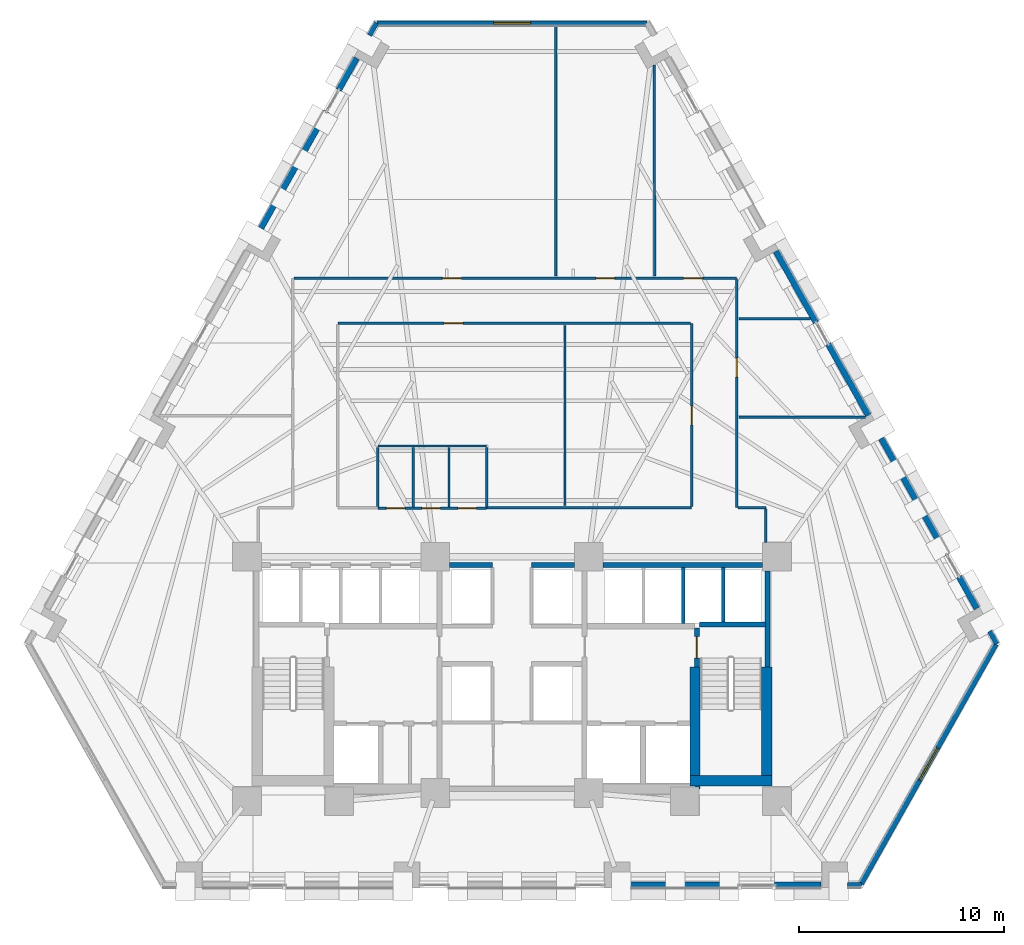
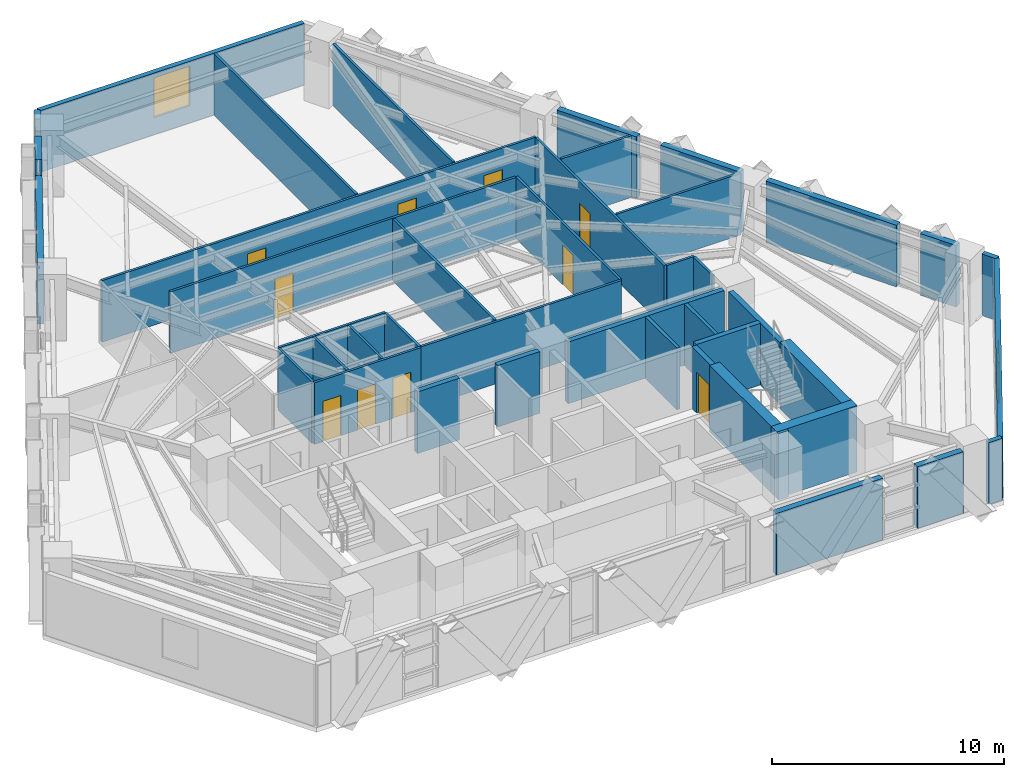
# One storey, part 8 of 13: 42 walls, 10 doors, 2 windows, 12 openings.
"""IFC4 building model written with IfcOpenShell, lengths in metres."""

from ifc_helpers import new_model, si_unit, direction, frame, frame_2d, origin, place, context, subcontext, project, spatial, rectangle, extrude, material, layer, layer_set, type_object, element, fill, save


model = new_model("IFC4")

# Units and contexts
model_context = context("Model", 3, precision=1e-05, world=origin(), true_north=direction((0.0, 1.0)))
body_context = subcontext(model_context, "Body", "Model", "MODEL_VIEW")
ifc_project = project(units=[si_unit("LENGTHUNIT", "METRE"), si_unit("AREAUNIT", "SQUARE_METRE"), si_unit("VOLUMEUNIT", "CUBIC_METRE"), si_unit("PLANEANGLEUNIT", "RADIAN"), si_unit("MASSUNIT", "GRAM", prefix="KILO")], contexts=[model_context])

# Site, building, storey
site_placement = place(None, origin())
site = spatial("IfcSite", under=ifc_project, at=site_placement, CompositionType="ELEMENT")
building_placement = place(site_placement, origin())
building = spatial("IfcBuilding", under=site, at=building_placement, Name="Quenlor Broadcast Tower", CompositionType="ELEMENT")
storey_placement = place(building_placement, frame((0.0, 0.0, 59.10009765625)))
storey = spatial("IfcBuildingStorey", under=building, at=storey_placement, Name="L15", CompositionType="ELEMENT", Elevation=59.10009765625)

# Walls
ifc_material_1 = material(Name="Concrete C65/80", Category="concrete")
ifc_layer_1 = layer(ifc_material_1, 0.5)
ifc_layer_set_1 = layer_set([ifc_layer_1], Name="Core Concrete C65/80 Shear Wall 500")
wall_type_1 = type_object("IfcWallType", Name="Core Concrete C65/80 Shear Wall 500", PredefinedType="SHEAR", material=ifc_layer_set_1)
wall_1_placement = place(storey_placement, frame((8.699951171875, -15.75, 0.0), z_axis=(0.0, 0.0, 1.0), x_axis=(1.0, 0.0, 0.0)))
element("IfcWall", 1, at=wall_1_placement, inside=storey, type_object=wall_type_1, Name="L15 Core Shear Wall WS-E2", PredefinedType="SHEAR", context=body_context, shape_type="SweptSolid", body=[
    extrude(rectangle(XDim=4.0, YDim=0.5, at=frame_2d((2.0, 0.0))), origin(), (0.0, 0.0, 1.0), 3.5),
])
wall_2_placement = place(storey_placement, frame((12.449951171875, -15.75, 0.0), z_axis=(0.0, 0.0, 1.0), x_axis=(0.0, 1.0, 0.0)))
element("IfcWall", 2, at=wall_2_placement, inside=storey, type_object=wall_type_1, Name="L15 Core Shear Wall WF-E", PredefinedType="SHEAR", context=body_context, shape_type="SweptSolid", body=[
    extrude(rectangle(XDim=5.550048828125, YDim=0.5, at=frame_2d((2.77490234375, 0.0))), origin(), (0.0, 0.0, 1.0), 3.5),
])
wall_3_placement = place(storey_placement, frame((8.949951171875, -16.14990234375, 0.0), z_axis=(0.0, 0.0, 1.0), x_axis=(0.0, 1.0, 0.0)))
element("IfcWall", 3, at=wall_3_placement, inside=storey, type_object=wall_type_1, Name="L15 Core Shear Wall WI-E", PredefinedType="SHEAR", context=body_context, shape_type="SweptSolid", body=[
    extrude(rectangle(XDim=5.949951171875, YDim=0.5, at=frame_2d((2.97509765625, 0.0))), origin(), (0.0, 0.0, 1.0), 3.5),
])

# Wall, opening, door
ifc_material_2 = material(Name="Concrete C40/50", Category="concrete")
ifc_layer_2 = layer(ifc_material_2, 0.25)
ifc_layer_set_2 = layer_set([ifc_layer_2], Name="Fire Rated Concrete C40/50 Core Wall 250")
wall_type_2 = type_object("IfcWallType", Name="Fire Rated Concrete C40/50 Core Wall 250", PredefinedType="PARTITIONING", material=ifc_layer_set_2)
wall_4_placement = place(storey_placement, frame((9.0400390625, -10.179931640625, 0.0), z_axis=(0.0, 0.0, 1.0), x_axis=(0.0, 1.0, 0.0)))
wall_4 = element("IfcWall", 4, at=wall_4_placement, inside=storey, type_object=wall_type_2, Name="L15 Interior Wall CW-ST2-DR", PredefinedType="PARTITIONING", context=body_context, shape_type="SweptSolid", body=[
    extrude(rectangle(XDim=1.89990234375, YDim=0.25, at=frame_2d((0.949951171875, 0.0))), origin(), (0.0, 0.0, 1.0), 3.25),
])
opening_1_placement = place(wall_4_placement, frame((0.419921875, 0.0, 0.0)))
opening_1 = element("IfcOpeningElement", 5, at=opening_1_placement, cuts=wall_4, Name="Opening FD-1", PredefinedType="OPENING", context=body_context, shape_type="SweptSolid", body=[
    extrude(rectangle(XDim=1.050048828125, YDim=2.14990234375, at=frame_2d((0.52490234375, 1.074951171875))), frame((0.0, 0.135009765625, 0.0), z_axis=(0.0, -1.0, 0.0), x_axis=(1.0, 0.0, 0.0)), (0.0, 0.0, 1.0), 0.27001953125),
])
ifc_material_3 = material(Name="Fire Rated Steel Door Leaf", Category="steel")
door_type_1 = type_object("IfcDoorType", Name="Fire Isolated Stair Door 1050x2150", OperationType="NOTDEFINED", PredefinedType="DOOR", material=ifc_material_3)
door_1_placement = place(opening_1_placement, origin())
door_1 = element("IfcDoor", 6, at=door_1_placement, inside=storey, type_object=door_type_1, Name="L15 Door DR-ST2", OperationType="SINGLE_SWING_RIGHT", OverallHeight=2.14990234375, OverallWidth=1.050048828125, PredefinedType="DOOR", context=body_context, shape_type="SweptSolid", body=[
    extrude(rectangle(XDim=1.050048828125, YDim=2.14990234375, at=frame_2d((0.52490234375, 1.074951171875))), frame((0.0, 0.02490234375, 0.0), z_axis=(0.0, -1.0, 0.0), x_axis=(1.0, 0.0, 0.0)), (0.0, 0.0, 1.0), 0.050048828125),
])
fill(opening_1, door_1)

# Walls
wall_5_placement = place(storey_placement, frame((9.159912109375, -8.1201171875, 0.0), z_axis=(0.0, 0.0, 1.0), x_axis=(1.0, 0.0, 0.0)))
element("IfcWall", 7, at=wall_5_placement, inside=storey, type_object=wall_type_2, Name="L15 Interior Wall CW-ST2-N", PredefinedType="PARTITIONING", context=body_context, shape_type="SweptSolid", body=[
    extrude(rectangle(XDim=3.219970703125, YDim=0.25, at=frame_2d((1.60986328125, 0.0))), origin(), (0.0, 0.0, 1.0), 3.25),
])
wall_6_placement = place(storey_placement, frame((12.47998046875, -10.179931640625, 0.0), z_axis=(0.0, 0.0, 1.0), x_axis=(0.0, 1.0, 0.0)))
element("IfcWall", 8, at=wall_6_placement, inside=storey, type_object=wall_type_2, Name="L15 Interior Wall CW-ST2-E2", PredefinedType="PARTITIONING", context=body_context, shape_type="SweptSolid", body=[
    extrude(rectangle(XDim=4.677978515625, YDim=0.25, at=frame_2d((2.3388671875, 0.0))), origin(), (0.0, 0.0, 1.0), 3.25),
])
wall_7_placement = place(storey_placement, frame((4.451904296875, -5.199951171875, 0.0), z_axis=(0.0, 0.0, 1.0), x_axis=(1.0, 0.0, 0.0)))
element("IfcWall", 9, at=wall_7_placement, inside=storey, type_object=wall_type_2, Name="L15 Interior Wall CW-N-E", PredefinedType="PARTITIONING", context=body_context, shape_type="SweptSolid", body=[
    extrude(rectangle(XDim=7.796142578125, YDim=0.25, at=frame_2d((3.89794921875, 0.0))), origin(), (0.0, 0.0, 1.0), 3.25),
])
for number, where, z_axis, x_axis, name in (
    (10, (-3.048095703125, -5.199951171875, 0.0), (0.0, 0.0, 1.0), (1.0, 0.0, 0.0), "L15 Interior Wall CW-N-M1"),
    (11, (0.949951171875, -5.199951171875, 0.0), (0.0, 0.0, 1.0), (1.0, 0.0, 0.0), "L15 Interior Wall CW-N-M2"),
):
    element("IfcWall", number, at=place(storey_placement, frame(where, z_axis=z_axis, x_axis=x_axis)), inside=storey, type_object=wall_type_2, Name=name, PredefinedType="PARTITIONING", context=body_context, shape_type="SweptSolid", body=[
        extrude(rectangle(XDim=2.09814453125, YDim=0.25, at=frame_2d((1.049072265625, 0.0))), origin(), (0.0, 0.0, 1.0), 3.25),
    ])
ifc_material_4 = material(Name="Gypsum Fireboard Partition", Category="other")
ifc_layer_3 = layer(ifc_material_4, 0.159912109375)
ifc_layer_set_3 = layer_set([ifc_layer_3], Name="Fire Rated Shaft and Corridor Partition 160")
wall_type_3 = type_object("IfcWallType", Name="Fire Rated Shaft and Corridor Partition 160", PredefinedType="PARTITIONING", material=ifc_layer_set_3)
wall_8_placement = place(storey_placement, frame((8.375, -8.072998046875, 0.0), z_axis=(0.0, 0.0, 1.0), x_axis=(0.0, 1.0, 0.0)))
element("IfcWall", 12, at=wall_8_placement, inside=storey, type_object=wall_type_3, Name="L15 Interior Wall CW-PLH-D2", PredefinedType="PARTITIONING", context=body_context, shape_type="SweptSolid", body=[
    extrude(rectangle(XDim=2.73291015625, YDim=0.159912109375, at=frame_2d((1.366455078125, 0.0))), origin(), (0.0, 0.0, 1.0), 3.25),
])
wall_9_placement = place(storey_placement, frame((10.324951171875, -7.992919921875, 0.0), z_axis=(0.0, 0.0, 1.0), x_axis=(0.0, 1.0, 0.0)))
element("IfcWall", 13, at=wall_9_placement, inside=storey, type_object=wall_type_3, Name="L15 Interior Wall CW-PLH-D3", PredefinedType="PARTITIONING", context=body_context, shape_type="SweptSolid", body=[
    extrude(rectangle(XDim=2.65283203125, YDim=0.159912109375, at=frame_2d((1.326416015625, 0.0))), origin(), (0.0, 0.0, 1.0), 3.25),
])

# Wall, openings, doors
ifc_material_5 = material(Name="Gypsum Plasterboard Partition", Category="other")
ifc_layer_4 = layer(ifc_material_5, 0.1201171875)
ifc_layer_set_4 = layer_set([ifc_layer_4], Name="Standard Office Partition 120")
wall_type_4 = type_object("IfcWallType", Name="Standard Office Partition 120", PredefinedType="PARTITIONING", material=ifc_layer_set_4)
wall_10_placement = place(storey_placement, frame((-6.56005859375, -2.43994140625, 0.0), z_axis=(0.0, 0.0, 1.0), x_axis=(1.0, 0.0, 0.0)))
wall_10 = element("IfcWall", 14, at=wall_10_placement, inside=storey, type_object=wall_type_4, Name="L15 Interior Wall PW-WC-S", PredefinedType="PARTITIONING", context=body_context, shape_type="SweptSolid", body=[
    extrude(rectangle(XDim=5.320068359375, YDim=0.1201171875, at=frame_2d((2.66015625, 0.0))), origin(), (0.0, 0.0, 1.0), 3.25),
])
opening_2_placement = place(wall_10_placement, frame((0.419921875, 0.0, 0.0)))
opening_2 = element("IfcOpeningElement", 15, at=opening_2_placement, cuts=wall_10, Name="Opening ID-3", PredefinedType="OPENING", context=body_context, shape_type="SweptSolid", body=[
    extrude(rectangle(XDim=0.89990234375, YDim=2.1201171875, at=frame_2d((0.449951171875, 1.06005859375))), frame((0.0, 0.070068359375, 0.0), z_axis=(0.0, -1.0, 0.0), x_axis=(1.0, 0.0, 0.0)), (0.0, 0.0, 1.0), 0.14013671875),
])
opening_3_placement = place(wall_10_placement, frame((2.159912109375, 0.0, 0.0)))
opening_3 = element("IfcOpeningElement", 16, at=opening_3_placement, cuts=wall_10, Name="Opening ID-3", PredefinedType="OPENING", context=body_context, shape_type="SweptSolid", body=[
    extrude(rectangle(XDim=0.89990234375, YDim=2.1201171875, at=frame_2d((0.449951171875, 1.06005859375))), frame((0.0, 0.070068359375, 0.0), z_axis=(0.0, -1.0, 0.0), x_axis=(1.0, 0.0, 0.0)), (0.0, 0.0, 1.0), 0.14013671875),
])
opening_4_placement = place(wall_10_placement, frame((3.919921875, 0.0, 0.0)))
opening_4 = element("IfcOpeningElement", 17, at=opening_4_placement, cuts=wall_10, Name="Opening ID-3", PredefinedType="OPENING", context=body_context, shape_type="SweptSolid", body=[
    extrude(rectangle(XDim=0.89990234375, YDim=2.1201171875, at=frame_2d((0.449951171875, 1.06005859375))), frame((0.0, 0.070068359375, 0.0), z_axis=(0.0, -1.0, 0.0), x_axis=(1.0, 0.0, 0.0)), (0.0, 0.0, 1.0), 0.14013671875),
])
ifc_material_6 = material(Name="Moisture Resistant Timber Oak", Category="wood")
door_type_2 = type_object("IfcDoorType", Name="Washroom Privacy Door 900x2120", OperationType="NOTDEFINED", PredefinedType="DOOR", material=ifc_material_6)
door_2_placement = place(opening_2_placement, origin())
door_2 = element("IfcDoor", 18, at=door_2_placement, inside=storey, type_object=door_type_2, Name="L15 Door DR-FWC", OperationType="SINGLE_SWING_LEFT", OverallHeight=2.1201171875, OverallWidth=0.89990234375, PredefinedType="DOOR", context=body_context, shape_type="SweptSolid", body=[
    extrude(rectangle(XDim=0.89990234375, YDim=2.1201171875, at=frame_2d((0.449951171875, 1.06005859375))), frame((0.0, 0.02490234375, 0.0), z_axis=(0.0, -1.0, 0.0), x_axis=(1.0, 0.0, 0.0)), (0.0, 0.0, 1.0), 0.050048828125),
])
fill(opening_2, door_2)
door_3_placement = place(opening_3_placement, origin())
door_3 = element("IfcDoor", 19, at=door_3_placement, inside=storey, type_object=door_type_2, Name="L15 Door DR-MWC", OperationType="SINGLE_SWING_RIGHT", OverallHeight=2.1201171875, OverallWidth=0.89990234375, PredefinedType="DOOR", context=body_context, shape_type="SweptSolid", body=[
    extrude(rectangle(XDim=0.89990234375, YDim=2.1201171875, at=frame_2d((0.449951171875, 1.06005859375))), frame((0.0, 0.02490234375, 0.0), z_axis=(0.0, -1.0, 0.0), x_axis=(1.0, 0.0, 0.0)), (0.0, 0.0, 1.0), 0.050048828125),
])
fill(opening_3, door_3)
door_4_placement = place(opening_4_placement, origin())
door_4 = element("IfcDoor", 20, at=door_4_placement, inside=storey, type_object=door_type_2, Name="L15 Door DR-AWC", OperationType="SINGLE_SWING_RIGHT", OverallHeight=2.1201171875, OverallWidth=0.89990234375, PredefinedType="DOOR", context=body_context, shape_type="SweptSolid", body=[
    extrude(rectangle(XDim=0.89990234375, YDim=2.1201171875, at=frame_2d((0.449951171875, 1.06005859375))), frame((0.0, 0.02490234375, 0.0), z_axis=(0.0, -1.0, 0.0), x_axis=(1.0, 0.0, 0.0)), (0.0, 0.0, 1.0), 0.050048828125),
])
fill(opening_4, door_4)

# Walls
wall_11_placement = place(storey_placement, frame((-6.56005859375, 0.610107421875, 0.0), z_axis=(0.0, 0.0, 1.0), x_axis=(1.0, 0.0, 0.0)))
element("IfcWall", 21, at=wall_11_placement, inside=storey, type_object=wall_type_4, Name="L15 Interior Wall PW-WC-N", PredefinedType="PARTITIONING", context=body_context, shape_type="SweptSolid", body=[
    extrude(rectangle(XDim=5.320068359375, YDim=0.1201171875, at=frame_2d((2.66015625, 0.0))), origin(), (0.0, 0.0, 1.0), 3.25),
])
for number, where, z_axis, x_axis, name in (
    (22, (-6.56005859375, -2.3779296875, 0.0), (0.0, 0.0, 1.0), (0.0, 1.0, 0.0), "L15 Interior Wall PW-WC-W"),
    (23, (-4.820068359375, -2.3779296875, 0.0), (0.0, 0.0, 1.0), (0.0, 1.0, 0.0), "L15 Interior Wall PW-WC-M1"),
    (24, (-3.080078125, -2.3779296875, 0.0), (0.0, 0.0, 1.0), (0.0, 1.0, 0.0), "L15 Interior Wall PW-WC-M2"),
    (25, (-1.239990234375, -2.3779296875, 0.0), (0.0, 0.0, 1.0), (0.0, 1.0, 0.0), "L15 Interior Wall PW-WC-E"),
):
    element("IfcWall", number, at=place(storey_placement, frame(where, z_axis=z_axis, x_axis=x_axis)), inside=storey, type_object=wall_type_4, Name=name, PredefinedType="PARTITIONING", context=body_context, shape_type="SweptSolid", body=[
        extrude(rectangle(XDim=2.926025390625, YDim=0.1201171875, at=frame_2d((1.462890625, 0.0))), origin(), (0.0, 0.0, 1.0), 3.25),
    ])

# Wall, openings, doors
wall_12_placement = place(storey_placement, frame((-10.653076171875, 8.800048828125, 0.0), z_axis=(0.0, 0.0, 1.0), x_axis=(1.0, 0.0, 0.0)))
wall_12 = element("IfcWall", 26, at=wall_12_placement, inside=storey, type_object=wall_type_4, Name="L15 Interior Wall PW-CR-03", PredefinedType="PARTITIONING", context=body_context, shape_type="SweptSolid", body=[
    extrude(rectangle(XDim=21.63818359375, YDim=0.1201171875, at=frame_2d((10.819091796875, 0.0))), origin(), (0.0, 0.0, 1.0), 3.25),
])
opening_5_placement = place(wall_12_placement, frame((14.7529296875, 0.0, 0.0)))
opening_5 = element("IfcOpeningElement", 27, at=opening_5_placement, cuts=wall_12, Name="Opening ID-1", PredefinedType="OPENING", context=body_context, shape_type="SweptSolid", body=[
    extrude(rectangle(XDim=0.919921875, YDim=2.1201171875, at=frame_2d((0.4599609375, 1.06005859375))), frame((0.0, 0.070068359375, 0.0), z_axis=(0.0, -1.0, 0.0), x_axis=(1.0, 0.0, 0.0)), (0.0, 0.0, 1.0), 0.14013671875),
])
opening_6_placement = place(wall_12_placement, frame((7.2529296875, 0.0, 0.0)))
opening_6 = element("IfcOpeningElement", 28, at=opening_6_placement, cuts=wall_12, Name="Opening ID-1", PredefinedType="OPENING", context=body_context, shape_type="SweptSolid", body=[
    extrude(rectangle(XDim=0.919921875, YDim=2.1201171875, at=frame_2d((0.4599609375, 1.06005859375))), frame((0.0, 0.070068359375, 0.0), z_axis=(0.0, -1.0, 0.0), x_axis=(1.0, 0.0, 0.0)), (0.0, 0.0, 1.0), 0.14013671875),
])
opening_7_placement = place(wall_12_placement, frame((19.0458984375, 0.0, 0.0)))
opening_7 = element("IfcOpeningElement", 29, at=opening_7_placement, cuts=wall_12, Name="Opening ID-1", PredefinedType="OPENING", context=body_context, shape_type="SweptSolid", body=[
    extrude(rectangle(XDim=0.919921875, YDim=2.1201171875, at=frame_2d((0.4599609375, 1.06005859375))), frame((0.0, 0.070068359375, 0.0), z_axis=(0.0, -1.0, 0.0), x_axis=(1.0, 0.0, 0.0)), (0.0, 0.0, 1.0), 0.14013671875),
])
ifc_material_7 = material(Name="Solid Core Timber Oak", Category="wood")
door_type_3 = type_object("IfcDoorType", Name="Single Leaf Timber Office Door 920x2120", OperationType="NOTDEFINED", PredefinedType="DOOR", material=ifc_material_7)
door_5_placement = place(opening_5_placement, origin())
door_5 = element("IfcDoor", 30, at=door_5_placement, inside=storey, type_object=door_type_3, Name="L15 Door DR-RM01", OperationType="SINGLE_SWING_LEFT", OverallHeight=2.1201171875, OverallWidth=0.919921875, PredefinedType="DOOR", context=body_context, shape_type="SweptSolid", body=[
    extrude(rectangle(XDim=0.919921875, YDim=2.1201171875, at=frame_2d((0.4599609375, 1.06005859375))), frame((0.0, 0.02490234375, 0.0), z_axis=(0.0, -1.0, 0.0), x_axis=(1.0, 0.0, 0.0)), (0.0, 0.0, 1.0), 0.050048828125),
])
fill(opening_5, door_5)
door_6_placement = place(opening_6_placement, origin())
door_6 = element("IfcDoor", 31, at=door_6_placement, inside=storey, type_object=door_type_3, Name="L15 Door DR-RM02", OperationType="SINGLE_SWING_RIGHT", OverallHeight=2.1201171875, OverallWidth=0.919921875, PredefinedType="DOOR", context=body_context, shape_type="SweptSolid", body=[
    extrude(rectangle(XDim=0.919921875, YDim=2.1201171875, at=frame_2d((0.4599609375, 1.06005859375))), frame((0.0, 0.02490234375, 0.0), z_axis=(0.0, -1.0, 0.0), x_axis=(1.0, 0.0, 0.0)), (0.0, 0.0, 1.0), 0.050048828125),
])
fill(opening_6, door_6)
door_7_placement = place(opening_7_placement, origin())
door_7 = element("IfcDoor", 32, at=door_7_placement, inside=storey, type_object=door_type_3, Name="L15 Door DR-RM03", OperationType="SINGLE_SWING_LEFT", OverallHeight=2.1201171875, OverallWidth=0.919921875, PredefinedType="DOOR", context=body_context, shape_type="SweptSolid", body=[
    extrude(rectangle(XDim=0.919921875, YDim=2.1201171875, at=frame_2d((0.4599609375, 1.06005859375))), frame((0.0, 0.02490234375, 0.0), z_axis=(0.0, -1.0, 0.0), x_axis=(1.0, 0.0, 0.0)), (0.0, 0.0, 1.0), 0.050048828125),
])
fill(opening_7, door_7)

# Wall, opening, door
wall_13_placement = place(storey_placement, frame((10.985107421875, 8.738037109375, 0.0), z_axis=(0.0, 0.0, 1.0), x_axis=(0.0, -1.0, 0.0)))
wall_13 = element("IfcWall", 33, at=wall_13_placement, inside=storey, type_object=wall_type_4, Name="L15 Interior Wall PW-CR-04", PredefinedType="PARTITIONING", context=body_context, shape_type="SweptSolid", body=[
    extrude(rectangle(XDim=11.137939453125, YDim=0.1201171875, at=frame_2d((5.56884765625, 0.0))), origin(), (0.0, 0.0, 1.0), 3.25),
])
opening_8_placement = place(wall_13_placement, frame((3.837890625, 0.0, 0.0)))
opening_8 = element("IfcOpeningElement", 34, at=opening_8_placement, cuts=wall_13, Name="Opening ID-1", PredefinedType="OPENING", context=body_context, shape_type="SweptSolid", body=[
    extrude(rectangle(XDim=0.919921875, YDim=2.1201171875, at=frame_2d((0.4599609375, 1.06005859375))), frame((0.0, 0.070068359375, 0.0), z_axis=(0.0, -1.0, 0.0), x_axis=(1.0, 0.0, 0.0)), (0.0, 0.0, 1.0), 0.14013671875),
])
door_8_placement = place(opening_8_placement, origin())
door_8 = element("IfcDoor", 35, at=door_8_placement, inside=storey, type_object=door_type_3, Name="L15 Door DR-RM04", OperationType="SINGLE_SWING_RIGHT", OverallHeight=2.1201171875, OverallWidth=0.919921875, PredefinedType="DOOR", context=body_context, shape_type="SweptSolid", body=[
    extrude(rectangle(XDim=0.919921875, YDim=2.1201171875, at=frame_2d((0.4599609375, 1.06005859375))), frame((0.0, 0.02490234375, 0.0), z_axis=(0.0, -1.0, 0.0), x_axis=(1.0, 0.0, 0.0)), (0.0, 0.0, 1.0), 0.050048828125),
])
fill(opening_8, door_8)

# Walls
wall_14_placement = place(storey_placement, frame((11.047119140625, -2.39990234375, 0.0), z_axis=(0.0, 0.0, 1.0), x_axis=(1.0, 0.0, 0.0)))
element("IfcWall", 36, at=wall_14_placement, inside=storey, type_object=wall_type_4, Name="L15 Interior Wall PW-CR-05", PredefinedType="PARTITIONING", context=body_context, shape_type="SweptSolid", body=[
    extrude(rectangle(XDim=1.36279296875, YDim=0.1201171875, at=frame_2d((0.681396484375, 0.0))), origin(), (0.0, 0.0, 1.0), 3.25),
])
wall_15_placement = place(storey_placement, frame((12.409912109375, -2.4619140625, 0.0), z_axis=(0.0, 0.0, 1.0), x_axis=(0.0, -1.0, 0.0)))
element("IfcWall", 37, at=wall_15_placement, inside=storey, type_object=wall_type_4, Name="L15 Interior Wall PW-CR-06", PredefinedType="PARTITIONING", context=body_context, shape_type="SweptSolid", body=[
    extrude(rectangle(XDim=1.635986328125, YDim=0.1201171875, at=frame_2d((0.81787109375, 0.0))), origin(), (0.0, 0.0, 1.0), 3.25),
])
wall_16_placement = place(storey_placement, frame((-1.238037109375, -2.39990234375, 0.0), z_axis=(0.0, 0.0, 1.0), x_axis=(1.0, 0.0, 0.0)))
element("IfcWall", 38, at=wall_16_placement, inside=storey, type_object=wall_type_4, Name="L15 Interior Wall PW-CR-08S2", PredefinedType="PARTITIONING", context=body_context, shape_type="SweptSolid", body=[
    extrude(rectangle(XDim=10.02294921875, YDim=0.1201171875, at=frame_2d((5.011474609375, 0.0))), origin(), (0.0, 0.0, 1.0), 3.25),
])

# Wall, opening, door
wall_17_placement = place(storey_placement, frame((8.784912109375, -2.337890625, 0.0), z_axis=(0.0, 0.0, 1.0), x_axis=(0.0, 1.0, 0.0)))
wall_17 = element("IfcWall", 39, at=wall_17_placement, inside=storey, type_object=wall_type_4, Name="L15 Interior Wall PW-CR-09", PredefinedType="PARTITIONING", context=body_context, shape_type="SweptSolid", body=[
    extrude(rectangle(XDim=8.93798828125, YDim=0.1201171875, at=frame_2d((4.468994140625, 0.0))), origin(), (0.0, 0.0, 1.0), 3.25),
])
opening_9_placement = place(wall_17_placement, frame((3.97802734375, 0.0, 0.0)))
opening_9 = element("IfcOpeningElement", 40, at=opening_9_placement, cuts=wall_17, Name="Opening ID-1", PredefinedType="OPENING", context=body_context, shape_type="SweptSolid", body=[
    extrude(rectangle(XDim=0.919921875, YDim=2.1201171875, at=frame_2d((0.4599609375, 1.06005859375))), frame((0.0, 0.070068359375, 0.0), z_axis=(0.0, -1.0, 0.0), x_axis=(1.0, 0.0, 0.0)), (0.0, 0.0, 1.0), 0.14013671875),
])
door_9_placement = place(opening_9_placement, origin())
door_9 = element("IfcDoor", 41, at=door_9_placement, inside=storey, type_object=door_type_3, Name="L15 Door DR-RM07", OperationType="SINGLE_SWING_LEFT", OverallHeight=2.1201171875, OverallWidth=0.919921875, PredefinedType="DOOR", context=body_context, shape_type="SweptSolid", body=[
    extrude(rectangle(XDim=0.919921875, YDim=2.1201171875, at=frame_2d((0.4599609375, 1.06005859375))), frame((0.0, 0.02490234375, 0.0), z_axis=(0.0, -1.0, 0.0), x_axis=(1.0, 0.0, 0.0)), (0.0, 0.0, 1.0), 0.050048828125),
])
fill(opening_9, door_9)

wall_18_placement = place(storey_placement, frame((8.722900390625, 6.60009765625, 0.0), z_axis=(0.0, 0.0, 1.0), x_axis=(-1.0, 0.0, 0.0)))
wall_18 = element("IfcWall", 42, at=wall_18_placement, inside=storey, type_object=wall_type_4, Name="L15 Interior Wall PW-CR-10", PredefinedType="PARTITIONING", context=body_context, shape_type="SweptSolid", body=[
    extrude(rectangle(XDim=17.23779296875, YDim=0.1201171875, at=frame_2d((8.618896484375, 0.0))), origin(), (0.0, 0.0, 1.0), 3.25),
])
opening_10_placement = place(wall_18_placement, frame((11.115966796875, 0.0, 0.0)))
opening_10 = element("IfcOpeningElement", 43, at=opening_10_placement, cuts=wall_18, Name="Opening ID-1", PredefinedType="OPENING", context=body_context, shape_type="SweptSolid", body=[
    extrude(rectangle(XDim=0.919921875, YDim=2.1201171875, at=frame_2d((0.4599609375, 1.06005859375))), frame((0.0, 0.070068359375, 0.0), z_axis=(0.0, -1.0, 0.0), x_axis=(1.0, 0.0, 0.0)), (0.0, 0.0, 1.0), 0.14013671875),
])
door_10_placement = place(opening_10_placement, origin())
door_10 = element("IfcDoor", 44, at=door_10_placement, inside=storey, type_object=door_type_3, Name="L15 Door DR-RM06", OperationType="SINGLE_SWING_RIGHT", OverallHeight=2.1201171875, OverallWidth=0.919921875, PredefinedType="DOOR", context=body_context, shape_type="SweptSolid", body=[
    extrude(rectangle(XDim=0.919921875, YDim=2.1201171875, at=frame_2d((0.4599609375, 1.06005859375))), frame((0.0, 0.02490234375, 0.0), z_axis=(0.0, -1.0, 0.0), x_axis=(1.0, 0.0, 0.0)), (0.0, 0.0, 1.0), 0.050048828125),
])
fill(opening_10, door_10)

# Walls
wall_19_placement = place(storey_placement, frame((2.139892578125, 8.909912109375, 0.0), z_axis=(0.0, 0.0, 1.0), x_axis=(0.0, 1.0, 0.0)))
element("IfcWall", 45, at=wall_19_placement, inside=storey, type_object=wall_type_4, Name="L15 Interior Wall PW-DV-01", PredefinedType="PARTITIONING", context=body_context, shape_type="SweptSolid", body=[
    extrude(rectangle(XDim=12.239990234375, YDim=0.1201171875, at=frame_2d((6.1201171875, 0.0))), origin(), (0.0, 0.0, 1.0), 3.25),
])
wall_20_placement = place(storey_placement, frame((6.9443359375, 19.227783203125, 0.0), z_axis=(0.0, 0.0, 1.0), x_axis=(0.003407296486, -0.999994195148, 0.0)))
element("IfcWall", 46, at=wall_20_placement, inside=storey, type_object=wall_type_4, Name="L15 Interior Wall PW-DV-02", PredefinedType="PARTITIONING", context=body_context, shape_type="SweptSolid", body=[
    extrude(rectangle(XDim=10.31787109375, YDim=0.1201171875, at=frame_2d((5.158935546875, 0.0))), origin(), (0.0, 0.0, 1.0), 3.25),
])
wall_21_placement = place(storey_placement, frame((14.59326171875, 6.820068359375, 0.0), z_axis=(0.0, 0.0, 1.0), x_axis=(-1.0, 0.0, 0.0)))
element("IfcWall", 47, at=wall_21_placement, inside=storey, type_object=wall_type_4, Name="L15 Interior Wall PW-DV-03", PredefinedType="PARTITIONING", context=body_context, shape_type="SweptSolid", body=[
    extrude(rectangle(XDim=3.498291015625, YDim=0.1201171875, at=frame_2d((1.7490234375, 0.0))), origin(), (0.0, 0.0, 1.0), 3.25),
])
wall_22_placement = place(storey_placement, frame((17.2841796875, 2.02001953125, 0.0), z_axis=(0.0, 0.0, 1.0), x_axis=(-1.0, 0.0, 0.0)))
element("IfcWall", 48, at=wall_22_placement, inside=storey, type_object=wall_type_4, Name="L15 Interior Wall PW-DV-04", PredefinedType="PARTITIONING", context=body_context, shape_type="SweptSolid", body=[
    extrude(rectangle(XDim=6.189208984375, YDim=0.1201171875, at=frame_2d((3.0947265625, 0.0))), origin(), (0.0, 0.0, 1.0), 3.25),
])
wall_23_placement = place(storey_placement, frame((2.591064453125, 6.489990234375, 0.0), z_axis=(0.0, 0.0, 1.0), x_axis=(0.0, -1.0, 0.0)))
element("IfcWall", 49, at=wall_23_placement, inside=storey, type_object=wall_type_4, Name="L15 Interior Wall PW-DV-06", PredefinedType="PARTITIONING", context=body_context, shape_type="SweptSolid", body=[
    extrude(rectangle(XDim=8.780029296875, YDim=0.1201171875, at=frame_2d((4.39013671875, 0.0))), origin(), (0.0, 0.0, 1.0), 3.25),
])
ifc_material_8 = material(Name="Precast concrete C40/50", Category="concrete")
ifc_layer_5 = layer(ifc_material_8, 0.239990234375)
ifc_layer_set_5 = layer_set([ifc_layer_5], Name="Terrace Threshold Precast Concrete C40/50 Wall 240")
wall_type_5 = type_object("IfcWallType", Name="Terrace Threshold Precast Concrete C40/50 Wall 240", PredefinedType="STANDARD", material=ifc_layer_set_5)
wall_24_placement = place(storey_placement, frame((17.075927734375, -20.840087890625, 0.0), z_axis=(0.0, 0.0, 1.0), x_axis=(-1.0, 0.0, 0.0)))
element("IfcWall", 50, at=wall_24_placement, inside=storey, type_object=wall_type_5, Name="L15 Exterior Wall L15-SHD-SS0", PredefinedType="STANDARD", context=body_context, shape_type="SweptSolid", body=[
    extrude(rectangle(XDim=0.680908203125, YDim=0.239990234375, at=frame_2d((0.34033203125, 0.0))), origin(), (0.0, 0.0, 1.0), 3.25),
])
wall_25_placement = place(storey_placement, frame((23.351806640625, -8.44091796875, 0.0), z_axis=(0.0, 0.0, 1.0), x_axis=(0.490523074758, -0.871428203084, 0.0)))
element("IfcWall", 51, at=wall_25_placement, inside=storey, type_object=wall_type_5, Name="L15 Exterior Wall L15-SHD-NES1", PredefinedType="STANDARD", context=body_context, shape_type="SweptSolid", body=[
    extrude(rectangle(XDim=0.708251953125, YDim=0.239990234375, at=frame_2d((0.35400390625, 0.0))), origin(), (0.0, 0.0, 1.0), 3.25),
])
wall_26_placement = place(storey_placement, frame((-6.968994140625, 20.68408203125, 0.0), z_axis=(0.0, 0.0, 1.0), x_axis=(0.490261239633, 0.871575537125, 0.0)))
element("IfcWall", 52, at=wall_26_placement, inside=storey, type_object=wall_type_5, Name="L15 Exterior Wall L15-SHD-NWS1", PredefinedType="STANDARD", context=body_context, shape_type="SweptSolid", body=[
    extrude(rectangle(XDim=0.7080078125, YDim=0.239990234375, at=frame_2d((0.35400390625, 0.0))), origin(), (0.0, 0.0, 1.0), 3.25),
])

# Wall, opening, window
wall_27_placement = place(storey_placement, frame((6.598388671875, 21.27197265625, 0.0), z_axis=(0.0, 0.0, 1.0), x_axis=(-1.0, 0.0, 0.0)))
wall_27 = element("IfcWall", 53, at=wall_27_placement, inside=storey, type_object=wall_type_5, Name="L15 Exterior Wall L15-CNR-02", PredefinedType="STANDARD", context=body_context, shape_type="SweptSolid", body=[
    extrude(rectangle(XDim=13.186767578125, YDim=0.239990234375, at=frame_2d((6.59326171875, 0.0))), origin(), (0.0, 0.0, 1.0), 3.25),
])
opening_11_placement = place(wall_27_placement, frame((5.693115234375, 0.0, 0.89990234375)))
opening_11 = element("IfcOpeningElement", 54, at=opening_11_placement, cuts=wall_27, Name="Opening WN-1", PredefinedType="OPENING", context=body_context, shape_type="SweptSolid", body=[
    extrude(rectangle(XDim=1.800048828125, YDim=2.10009765625, at=frame_2d((0.89990234375, 1.050048828125))), frame((0.0, 0.1298828125, 0.0), z_axis=(0.0, -1.0, 0.0), x_axis=(1.0, 0.0, 0.0)), (0.0, 0.0, 1.0), 0.260009765625),
])
ifc_material_9 = material(Name="Thermally Broken Aluminium and Low-E Glass", Category="aluminium")
window_type = type_object("IfcWindowType", Name="Tower Acoustic Vision Window 1800x2100", PartitioningType="SINGLE_PANEL", PredefinedType="WINDOW", material=ifc_material_9)
window_1_placement = place(opening_11_placement, origin())
window_1 = element("IfcWindow", 55, at=window_1_placement, inside=storey, type_object=window_type, Name="L15 Corner Chamfer Window 2", OverallHeight=2.10009765625, OverallWidth=1.800048828125, PartitioningType="SINGLE_PANEL", PredefinedType="WINDOW", context=body_context, shape_type="SweptSolid", body=[
    extrude(rectangle(XDim=1.800048828125, YDim=2.10009765625, at=frame_2d((0.89990234375, 1.050048828125))), frame((0.0, 0.030029296875, 0.0), z_axis=(0.0, -1.0, 0.0), x_axis=(1.0, 0.0, 0.0)), (0.0, 0.0, 1.0), 0.06005859375),
])
fill(opening_11, window_1)

wall_28_placement = place(storey_placement, frame((17.06689453125, -20.79638671875, 0.0), z_axis=(0.0, 0.0, 1.0), x_axis=(0.490268135177, 0.871571658345, 0.0)))
wall_28 = element("IfcWall", 56, at=wall_28_placement, inside=storey, type_object=wall_type_5, Name="L15 Exterior Wall L15-CNR-06", PredefinedType="STANDARD", context=body_context, shape_type="SweptSolid", body=[
    extrude(rectangle(XDim=13.44775390625, YDim=0.239990234375, at=frame_2d((6.723876953125, 0.0))), origin(), (0.0, 0.0, 1.0), 3.25),
])
opening_12_placement = place(wall_28_placement, frame((5.823974609375, 0.0, 0.89990234375)))
opening_12 = element("IfcOpeningElement", 57, at=opening_12_placement, cuts=wall_28, Name="Opening WN-1", PredefinedType="OPENING", context=body_context, shape_type="SweptSolid", body=[
    extrude(rectangle(XDim=1.800048828125, YDim=2.10009765625, at=frame_2d((0.89990234375, 1.050048828125))), frame((0.0, 0.1298828125, 0.0), z_axis=(0.0, -1.0, 0.0), x_axis=(1.0, 0.0, 0.0)), (0.0, 0.0, 1.0), 0.260009765625),
])
window_2_placement = place(opening_12_placement, origin())
window_2 = element("IfcWindow", 58, at=window_2_placement, inside=storey, type_object=window_type, Name="L15 Corner Chamfer Window 6", OverallHeight=2.10009765625, OverallWidth=1.800048828125, PartitioningType="SINGLE_PANEL", PredefinedType="WINDOW", context=body_context, shape_type="SweptSolid", body=[
    extrude(rectangle(XDim=1.800048828125, YDim=2.10009765625, at=frame_2d((0.89990234375, 1.050048828125))), frame((0.0, 0.030029296875, 0.0), z_axis=(0.0, -1.0, 0.0), x_axis=(1.0, 0.0, 0.0)), (0.0, 0.0, 1.0), 0.06005859375),
])
fill(opening_12, window_2)

# Walls
ifc_material_10 = material(Name="Precast concrete C40/50", Category="concrete")
ifc_layer_6 = layer(ifc_material_10, 0.300048828125)
ifc_layer_set_6 = layer_set([ifc_layer_6], Name="Terracotta Precast Concrete C40/50 Spandrel Wall 300")
wall_type_6 = type_object("IfcWallType", Name="Terracotta Precast Concrete C40/50 Spandrel Wall 300", PredefinedType="STANDARD", material=ifc_layer_set_6)
wall_29_placement = place(storey_placement, frame((15.114990234375, -20.840087890625, 0.0), z_axis=(0.0, 0.0, 1.0), x_axis=(-1.0, 0.0, 0.0)))
element("IfcWall", 59, at=wall_29_placement, inside=storey, type_object=wall_type_6, Name="L15 Exterior Wall L15-SA-SP1", PredefinedType="STANDARD", context=body_context, shape_type="SweptSolid", body=[
    extrude(rectangle(XDim=2.280029296875, YDim=0.300048828125, at=frame_2d((1.14013671875, 0.0))), origin(), (0.0, 0.0, 1.0), 3.25),
])
wall_30_placement = place(storey_placement, frame((11.106689453125, -20.840087890625, 0.0), z_axis=(0.0, 0.0, 1.0), x_axis=(-1.0, 0.0, 0.0)))
element("IfcWall", 60, at=wall_30_placement, inside=storey, type_object=wall_type_6, Name="L15 Exterior Wall L15-SA-SP2", PredefinedType="STANDARD", context=body_context, shape_type="SweptSolid", body=[
    extrude(rectangle(XDim=5.31591796875, YDim=0.300048828125, at=frame_2d((2.657958984375, 0.0))), origin(), (0.0, 0.0, 1.0), 3.25),
])
wall_31_placement = place(storey_placement, frame((18.049560546875, 0.985595703125, 0.0), z_axis=(0.0, 0.0, 1.0), x_axis=(0.490245297262, -0.871584504516, 0.0)))
element("IfcWall", 61, at=wall_31_placement, inside=storey, type_object=wall_type_6, Name="L15 Exterior Wall L15-NEC-SP1", PredefinedType="STANDARD", context=body_context, shape_type="SweptSolid", body=[
    extrude(rectangle(XDim=6.543701171875, YDim=0.300048828125, at=frame_2d((3.27197265625, 0.0))), origin(), (0.0, 0.0, 1.0), 3.25),
])
wall_32_placement = place(storey_placement, frame((21.8505859375, -5.771728515625, 0.0), z_axis=(0.0, 0.0, 1.0), x_axis=(0.490241729391, -0.871586511348, 0.0)))
element("IfcWall", 62, at=wall_32_placement, inside=storey, type_object=wall_type_6, Name="L15 Exterior Wall L15-NEC-SP2", PredefinedType="STANDARD", context=body_context, shape_type="SweptSolid", body=[
    extrude(rectangle(XDim=1.7822265625, YDim=0.300048828125, at=frame_2d((0.89111328125, 0.0))), origin(), (0.0, 0.0, 1.0), 3.25),
])
for number, where, z_axis, x_axis, name in (
    (63, (12.90625, 10.12890625, 0.0), (0.0, 0.0, 1.0), (0.49028736482, -0.871560841191, 0.0), "L15 Exterior Wall L15-NE-SP1"),
    (64, (15.45703125, 5.594482421875, 0.0), (0.0, 0.0, 1.0), (0.49028736482, -0.871560841191, 0.0), "L15 Exterior Wall L15-NE-SP2"),
):
    element("IfcWall", number, at=place(storey_placement, frame(where, z_axis=z_axis, x_axis=x_axis)), inside=storey, type_object=wall_type_6, Name=name, PredefinedType="STANDARD", context=body_context, shape_type="SweptSolid", body=[
        extrude(rectangle(XDim=3.9931640625, YDim=0.300048828125, at=frame_2d((1.99658203125, 0.0))), origin(), (0.0, 0.0, 1.0), 3.25),
    ])
wall_33_placement = place(storey_placement, frame((-12.271484375, 11.2578125, 0.0), z_axis=(0.0, 0.0, 1.0), x_axis=(0.490261239633, 0.871575537125, 0.0)))
element("IfcWall", 65, at=wall_33_placement, inside=storey, type_object=wall_type_6, Name="L15 Exterior Wall L15-NWC-SP1", PredefinedType="STANDARD", context=body_context, shape_type="SweptSolid", body=[
    extrude(rectangle(XDim=6.54345703125, YDim=0.300048828125, at=frame_2d((3.271728515625, 0.0))), origin(), (0.0, 0.0, 1.0), 3.25),
])
wall_34_placement = place(storey_placement, frame((-8.470458984375, 18.014892578125, 0.0), z_axis=(0.0, 0.0, 1.0), x_axis=(0.490183206509, 0.871619426158, 0.0)))
element("IfcWall", 66, at=wall_34_placement, inside=storey, type_object=wall_type_6, Name="L15 Exterior Wall L15-NWC-SP2", PredefinedType="STANDARD", context=body_context, shape_type="SweptSolid", body=[
    extrude(rectangle(XDim=1.782470703125, YDim=0.300048828125, at=frame_2d((0.89111328125, 0.0))), origin(), (0.0, 0.0, 1.0), 3.25),
])

save(model, "model.ifc")
